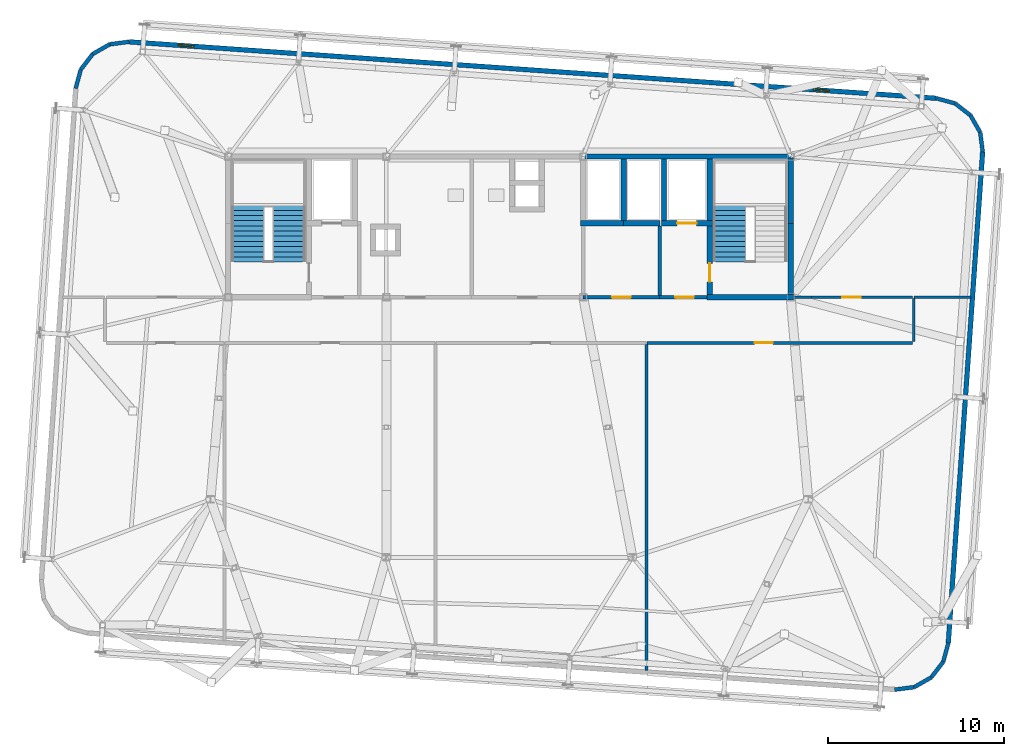
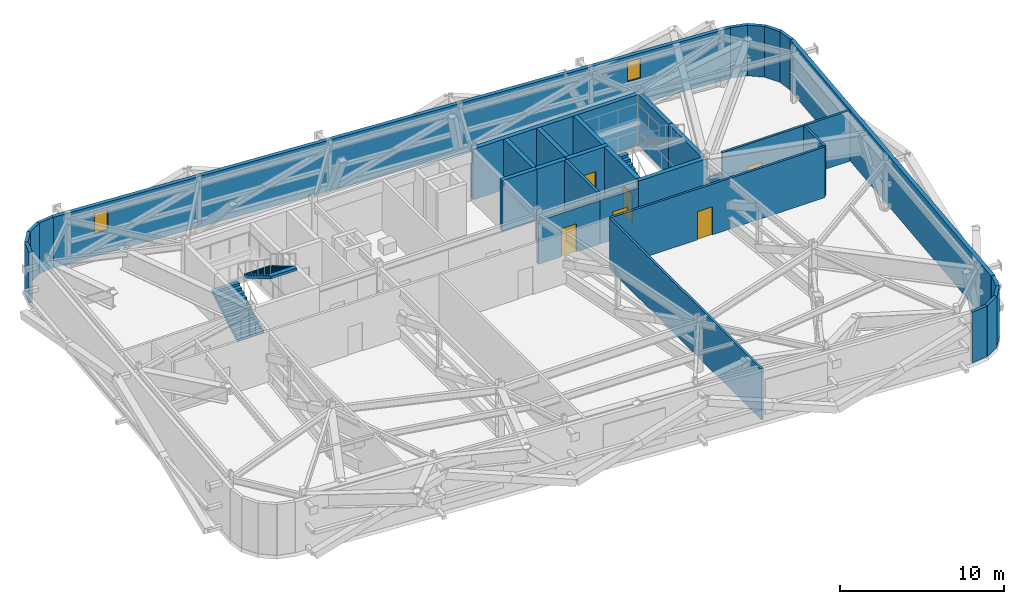
# One storey, part 22 of 24: 34 walls, 6 doors, 3 stair flights, 2 windows, 8 openings, 2 elements without a shape of their own.
"""IFC4 building model written with IfcOpenShell, lengths in metres."""

from ifc_helpers import new_model, si_unit, direction, frame, frame_2d, origin, place, context, subcontext, project, spatial, polyline, rectangle, outline, extrude, source, transform, mapped, material, layer, layer_set, type_object, element, fill, aggregate, save


model = new_model("IFC4")

# Units and contexts
model_context = context("Model", 3, precision=1e-05, world=origin(), true_north=direction((0.0, 1.0)))
body_context = subcontext(model_context, "Body", "Model", "MODEL_VIEW")
ifc_project = project(units=[si_unit("LENGTHUNIT", "METRE"), si_unit("AREAUNIT", "SQUARE_METRE"), si_unit("VOLUMEUNIT", "CUBIC_METRE"), si_unit("PLANEANGLEUNIT", "RADIAN"), si_unit("MASSUNIT", "GRAM", prefix="KILO")], contexts=[model_context])

# Site, building, storey
site_placement = place(None, origin())
site = spatial("IfcSite", under=ifc_project, at=site_placement, CompositionType="ELEMENT")
building_placement = place(site_placement, origin())
building = spatial("IfcBuilding", under=site, at=building_placement, Name="Taldren Reach Tower", CompositionType="ELEMENT")
storey_placement = place(building_placement, frame((0.0, 0.0, 164.5)))
storey = spatial("IfcBuildingStorey", under=building, at=storey_placement, Name="L50", CompositionType="ELEMENT", Elevation=164.5)

# Walls
ifc_material_1 = material(Name="Pale Champagne Anodised Aluminium Cladding", Category="aluminium")
ifc_layer_1 = layer(ifc_material_1, 0.04, Name="Pale Champagne Anodised Aluminium Cladding", Category="aluminium")
ifc_material_2 = material(Name="Mineral Wool Acoustic Insulation", Category="insulation")
ifc_layer_2 = layer(ifc_material_2, 0.06, Name="Mineral Wool Acoustic Insulation", Category="insulation")
ifc_material_3 = material(Name="Steel Gr 350 (C350L0)", Category="steel")
ifc_layer_3 = layer(ifc_material_3, 0.12, Name="Steel Gr 350 (C350L0)", Category="steel")
ifc_layer_set_1 = layer_set([ifc_layer_1, ifc_layer_2, ifc_layer_3], Name="Pale Champagne Aluminium Cladding and Steel Gr 350 Stud Framing")
wall_type_1 = type_object("IfcWallType", Name="EW-CRN-220", PredefinedType="SOLIDWALL", material=ifc_layer_set_1)
shared_shape_1 = source(origin(), body_context, "Body", "SweptSolid", [
    extrude(rectangle(XDim=1.115966796875, YDim=0.219970703125, at=frame_2d((0.55810546875, 0.0))), origin(), (0.0, 0.0, 1.0), 3.780029296875),
])
for number, where, z_axis, x_axis, name in (
    (1, (58.02490234375, 1.8173828125, 0.0), (0.0, 0.0, 1.0), (0.868095010314, 0.496398079235, 0.0), "Rounded-corner pale-metal facade wall L50-SE2"),
    (2, (58.99365234375, 2.371337890625, 0.0), (0.0, 0.0, 1.0), (0.612318787668, 0.790610967714, 0.0), "Rounded-corner pale-metal facade wall L50-SE3"),
    (3, (59.677001953125, 3.253662109375, 0.0), (0.0, 0.0, 1.0), (0.262969307856, 0.964804199372, 0.0), "Rounded-corner pale-metal facade wall L50-SE4"),
    (4, (61.923583984375, 32.261962890625, 0.0), (0.0, 0.0, 1.0), (-0.126242535829, 0.991999406324, 0.0), "Rounded-corner pale-metal facade wall L50-NE1"),
    (5, (61.78271484375, 33.368896484375, 0.0), (0.0, 0.0, 1.0), (-0.496138938357, 0.868243142124, 0.0), "Rounded-corner pale-metal facade wall L50-NE2"),
    (6, (61.22900390625, 34.337890625, 0.0), (0.0, 0.0, 1.0), (-0.790716874741, 0.612182018684, 0.0), "Rounded-corner pale-metal facade wall L50-NE3"),
    (7, (60.3466796875, 35.02099609375, 0.0), (0.0, 0.0, 1.0), (-0.964804199372, 0.262969307856, 0.0), "Rounded-corner pale-metal facade wall L50-NE4"),
    (8, (13.382080078125, 38.5234375, 0.0), (0.0, 0.0, 1.0), (-0.991999406324, -0.126242535829, 0.0), "Rounded-corner pale-metal facade wall L50-NW1"),
    (9, (11.306396484375, 37.828857421875, 0.0), (0.0, 0.0, 1.0), (-0.612318787668, -0.790610967714, 0.0), "Rounded-corner pale-metal facade wall L50-NW3"),
    (10, (10.623046875, 36.946533203125, 0.0), (0.0, 0.0, 1.0), (-0.262969307856, -0.964804199372, 0.0), "Rounded-corner pale-metal facade wall L50-NW4"),
):
    element("IfcWall", number, at=place(storey_placement, frame(where, z_axis=z_axis, x_axis=x_axis)), inside=storey, type_object=wall_type_1, Name=name, PredefinedType="SOLIDWALL", context=body_context, shape_type="MappedRepresentation", body=[
        mapped(shared_shape_1, transform((0.0, 0.0, 0.0), scale=1.0)),
    ])
shared_shape_2 = source(origin(), body_context, "Body", "SweptSolid", [
    extrude(rectangle(XDim=1.11572265625, YDim=0.219970703125, at=frame_2d((0.557861328125, 0.0))), origin(), (0.0, 0.0, 1.0), 3.780029296875),
])
for number, where, z_axis, x_axis, name in (
    (11, (56.91796875, 1.6767578125, 0.0), (0.0, 0.0, 1.0), (0.99202678349, 0.126027222605, 0.0), "Rounded-corner pale-metal facade wall L50-SE1"),
    (12, (12.275146484375, 38.382568359375, 0.0), (0.0, 0.0, 1.0), (-0.868189279113, -0.496233186751, 0.0), "Rounded-corner pale-metal facade wall L50-NW2"),
):
    element("IfcWall", number, at=place(storey_placement, frame(where, z_axis=z_axis, x_axis=x_axis)), inside=storey, type_object=wall_type_1, Name=name, PredefinedType="SOLIDWALL", context=body_context, shape_type="MappedRepresentation", body=[
        mapped(shared_shape_2, transform((0.0, 0.0, 0.0), scale=1.0)),
    ])

# Wall, openings, windows
ifc_material_4 = material(Name="Perforated Anodised Aluminium Acoustic Liner", Category="aluminium")
ifc_layer_4 = layer(ifc_material_4, 0.04, Name="Perforated Anodised Aluminium Acoustic Liner", Category="aluminium")
ifc_layer_5 = layer(ifc_material_2, 0.08, Name="Mineral Wool Acoustic Insulation", Category="insulation")
ifc_layer_6 = layer(ifc_material_3, 0.15, Name="Steel Gr 350 (C350L0)", Category="steel")
ifc_layer_set_2 = layer_set([ifc_layer_4, ifc_layer_5, ifc_layer_6], Name="Perforated Anodised Aluminium Liner and Steel Gr 350 Stud Framing")
wall_type_2 = type_object("IfcWallType", Name="EW-PLT-270", PredefinedType="SOLIDWALL", material=ifc_layer_set_2)
shared_shape_3 = source(origin(), body_context, "Body", "SweptSolid", [
    extrude(rectangle(XDim=46.0, YDim=0.27001953125, at=frame_2d((23.0, 0.0))), origin(), (0.0, 0.0, 1.0), 3.780029296875),
])
wall_1_placement = place(storey_placement, frame((59.27001953125, 35.314453125, 0.0), z_axis=(0.0, 0.0, 1.0), x_axis=(-0.997563767273, 0.069760520529, 0.0)))
wall_1 = element("IfcWall", 13, at=wall_1_placement, inside=storey, type_object=wall_type_2, Name="Plant floor perimeter enclosure wall L50-N", PredefinedType="SOLIDWALL", context=body_context, shape_type="MappedRepresentation", body=[
    mapped(shared_shape_3, transform((0.0, 0.0, 0.0), scale=1.0)),
])
shared_shape_4 = source(origin(), body_context, "Body", "SweptSolid", [
    extrude(rectangle(XDim=0.89990234375, YDim=1.5, at=frame_2d((0.449951171875, 0.75))), frame((0.0, 0.14501953125, 0.0), z_axis=(0.0, -1.0, 0.0), x_axis=(1.0, 0.0, 0.0)), (0.0, 0.0, 1.0), 0.2900390625),
])
opening_1_placement = place(wall_1_placement, frame((6.10009765625, 0.0, 1.89990234375)))
opening_1 = element("IfcOpeningElement", 14, at=opening_1_placement, cuts=wall_1, Name="Opening W-0915", PredefinedType="OPENING", context=body_context, shape_type="MappedRepresentation", body=[
    mapped(shared_shape_4, transform((0.0, 0.0, 0.0), scale=1.0)),
])
opening_2_placement = place(wall_1_placement, frame((42.300048828125, 0.0, 1.699951171875)))
opening_2 = element("IfcOpeningElement", 15, at=opening_2_placement, cuts=wall_1, Name="Opening W-0915", PredefinedType="OPENING", context=body_context, shape_type="MappedRepresentation", body=[
    mapped(shared_shape_4, transform((0.0, 0.0, 0.0), scale=1.0)),
])
ifc_material_5 = material(Name="Thermally Broken Aluminium and Low-E IGU", Category="aluminium")
window_type = type_object("IfcWindowType", Name="WN-REF-0900", PartitioningType="SINGLE_PANEL", PredefinedType="WINDOW", material=ifc_material_5)
shared_shape_5 = source(origin(), body_context, "Body", "SweptSolid", [
    extrude(rectangle(XDim=0.89990234375, YDim=1.5, at=frame_2d((0.449951171875, 0.75))), frame((0.0, 0.030029296875, 0.0), z_axis=(0.0, -1.0, 0.0), x_axis=(1.0, 0.0, 0.0)), (0.0, 0.0, 1.0), 0.06005859375),
])
window_1_placement = place(opening_1_placement, origin())
window_1 = element("IfcWindow", 16, at=window_1_placement, inside=storey, type_object=window_type, Name="Refuge area daylight window L50-1", OverallHeight=1.5, OverallWidth=0.89990234375, PartitioningType="SINGLE_PANEL", PredefinedType="WINDOW", context=body_context, shape_type="MappedRepresentation", body=[
    mapped(shared_shape_5, transform((0.0, 0.0, 0.0), scale=1.0)),
])
fill(opening_1, window_1)
window_2_placement = place(opening_2_placement, origin())
window_2 = element("IfcWindow", 17, at=window_2_placement, inside=storey, type_object=window_type, Name="Refuge area daylight window L50-2", OverallHeight=1.5, OverallWidth=0.89990234375, PartitioningType="SINGLE_PANEL", PredefinedType="WINDOW", context=body_context, shape_type="MappedRepresentation", body=[
    mapped(shared_shape_5, transform((0.0, 0.0, 0.0), scale=1.0)),
])
fill(opening_2, window_2)

# Wall
shared_shape_6 = source(origin(), body_context, "Body", "SweptSolid", [
    extrude(rectangle(XDim=27.999755859375, YDim=0.27001953125, at=frame_2d((14.0, 0.0))), origin(), (0.0, 0.0, 1.0), 3.780029296875),
])
wall_2_placement = place(storey_placement, frame((59.970458984375, 4.330322265625, 0.0), z_axis=(0.0, 0.0, 1.0), x_axis=(0.069754853754, 0.997564163539, 0.0)))
element("IfcWall", 18, at=wall_2_placement, inside=storey, type_object=wall_type_2, Name="Plant floor perimeter enclosure wall L50-E", PredefinedType="SOLIDWALL", context=body_context, shape_type="MappedRepresentation", body=[
    mapped(shared_shape_6, transform((0.0, 0.0, 0.0), scale=1.0)),
])

# Wall, opening, door
ifc_material_6 = material(Name="Concrete S50 (50 MPa)", Category="concrete")
ifc_layer_7 = layer(ifc_material_6, 0.199951171875)
ifc_layer_set_3 = layer_set([ifc_layer_7], Name="Concrete S50 (50 MPa)")
wall_type_3 = type_object("IfcWallType", Name="IW-CORE-200", PredefinedType="SOLIDWALL", material=ifc_layer_set_3)
shared_shape_7 = source(origin(), body_context, "Body", "SweptSolid", [
    extrude(rectangle(XDim=4.35009765625, YDim=0.199951171875, at=frame_2d((2.175048828125, 0.0))), origin(), (0.0, 0.0, 1.0), 3.2470703125),
])
wall_3_placement = place(storey_placement, frame((43.550048828125, 24.0, 0.0), z_axis=(0.0, 0.0, 1.0), x_axis=(-1.0, 0.0, 0.0)))
wall_3 = element("IfcWall", 19, at=wall_3_placement, inside=storey, type_object=wall_type_3, Name="Rear Core Shear Wall W-INT-L50-033", PredefinedType="SOLIDWALL", context=body_context, shape_type="MappedRepresentation", body=[
    mapped(shared_shape_7, transform((0.0, 0.0, 0.0), scale=1.0)),
])
shared_shape_8 = source(origin(), body_context, "Body", "SweptSolid", [
    extrude(rectangle(XDim=1.050048828125, YDim=2.10009765625, at=frame_2d((0.52490234375, 1.050048828125))), frame((0.0, 0.10986328125, 0.0), z_axis=(0.0, -1.0, 0.0), x_axis=(1.0, 0.0, 0.0)), (0.0, 0.0, 1.0), 0.219970703125),
])
opening_3_placement = place(wall_3_placement, frame((1.64990234375, 0.0, 0.0)))
opening_3 = element("IfcOpeningElement", 20, at=opening_3_placement, cuts=wall_3, Name="Opening DF-105", PredefinedType="OPENING", context=body_context, shape_type="MappedRepresentation", body=[
    mapped(shared_shape_8, transform((0.0, 0.0, 0.0), scale=1.0)),
])
ifc_material_7 = material(Name="Fire-Rated Care and Stair Exit Door")
door_type_1 = type_object("IfcDoorType", Name="ID-FIRE-105", OperationType="NOTDEFINED", PredefinedType="DOOR", material=ifc_material_7)
shared_shape_9 = source(origin(), body_context, "Body", "SweptSolid", [
    extrude(rectangle(XDim=1.050048828125, YDim=2.10009765625, at=frame_2d((0.52490234375, 1.050048828125))), frame((0.0, 0.02490234375, 0.0), z_axis=(0.0, -1.0, 0.0), x_axis=(1.0, 0.0, 0.0)), (0.0, 0.0, 1.0), 0.050048828125),
])
door_1_placement = place(opening_3_placement, frame((1.050048828125, 0.0, 0.0), z_axis=(0.0, 0.0, 1.0), x_axis=(-1.0, 0.0, 0.0)))
door_1 = element("IfcDoor", 21, at=door_1_placement, inside=storey, type_object=door_type_1, Name="Interior Door DR-L50-007", OperationType="SINGLE_SWING_LEFT", OverallHeight=2.10009765625, OverallWidth=1.050048828125, PredefinedType="DOOR", context=body_context, shape_type="MappedRepresentation", body=[
    mapped(shared_shape_9, transform((0.0, 0.0, 0.0), scale=1.0)),
])
fill(opening_3, door_1)

# Walls
ifc_material_8 = material(Name="Fire-Rated Acoustic Plasterboard Stud Wall", Category="gypsum")
ifc_layer_8 = layer(ifc_material_8, 0.159912109375)
ifc_layer_set_4 = layer_set([ifc_layer_8], Name="Fire-Rated Acoustic Plasterboard Stud Wall")
wall_type_4 = type_object("IfcWallType", Name="IW-FIRE-160", PredefinedType="PARTITIONING", material=ifc_layer_set_4)
shared_shape_10 = source(origin(), body_context, "Body", "SweptSolid", [
    extrude(rectangle(XDim=2.43994140625, YDim=0.159912109375, at=frame_2d((1.219970703125, 0.0))), origin(), (0.0, 0.0, 1.0), 3.780029296875),
])
wall_4_placement = place(storey_placement, frame((58.0, 23.919921875, 0.0), z_axis=(0.0, 0.0, 1.0), x_axis=(0.0, -1.0, 0.0)))
element("IfcWall", 22, at=wall_4_placement, inside=storey, type_object=wall_type_4, Name="Interior Partition Wall W-INT-L50-041", PredefinedType="PARTITIONING", context=body_context, shape_type="MappedRepresentation", body=[
    mapped(shared_shape_10, transform((0.0, 0.0, 0.0), scale=1.0)),
])
ifc_material_9 = material(Name="Concrete S65 (65 MPa)", Category="concrete")
ifc_layer_9 = layer(ifc_material_9, 0.300048828125)
ifc_layer_set_5 = layer_set([ifc_layer_9], Name="Concrete S65 (65 MPa)")
wall_type_5 = type_object("IfcWallType", Name="IW-CORE-300", PredefinedType="SHEAR", material=ifc_layer_set_5)
shared_shape_11 = source(origin(), body_context, "Body", "SweptSolid", [
    extrude(rectangle(XDim=11.949951171875, YDim=0.300048828125, at=frame_2d((5.97509765625, 0.0))), origin(), (0.0, 0.0, 1.0), 3.780029296875),
])
wall_5_placement = place(storey_placement, frame((39.199951171875, 32.0, 0.0), z_axis=(0.0, 0.0, 1.0), x_axis=(1.0, 0.0, 0.0)))
element("IfcWall", 23, at=wall_5_placement, inside=storey, type_object=wall_type_5, Name="Rear Core Shear Wall W-CORE-L50-NORTH3", PredefinedType="SHEAR", context=body_context, shape_type="MappedRepresentation", body=[
    mapped(shared_shape_11, transform((0.0, 0.0, 0.0), scale=1.0)),
])
shared_shape_12 = source(origin(), body_context, "Body", "SweptSolid", [
    extrude(rectangle(XDim=4.050048828125, YDim=0.300048828125, at=frame_2d((2.02490234375, 0.0))), origin(), (0.0, 0.0, 1.0), 3.780029296875),
])
wall_6_placement = place(storey_placement, frame((51.0, 24.14990234375, 0.0), z_axis=(0.0, 0.0, 1.0), x_axis=(0.0, 1.0, 0.0)))
element("IfcWall", 24, at=wall_6_placement, inside=storey, type_object=wall_type_5, Name="Rear Core Shear Wall W-CORE-L50-EAST1", PredefinedType="SHEAR", context=body_context, shape_type="MappedRepresentation", body=[
    mapped(shared_shape_12, transform((0.0, 0.0, 0.0), scale=1.0)),
])
shared_shape_13 = source(origin(), body_context, "Body", "SweptSolid", [
    extrude(rectangle(XDim=3.650146484375, YDim=0.300048828125, at=frame_2d((1.8251953125, 0.0))), origin(), (0.0, 0.0, 1.0), 3.780029296875),
])
wall_7_placement = place(storey_placement, frame((51.0, 28.199951171875, 0.0), z_axis=(0.0, 0.0, 1.0), x_axis=(0.0, 1.0, 0.0)))
element("IfcWall", 25, at=wall_7_placement, inside=storey, type_object=wall_type_5, Name="Rear Core Shear Wall W-CORE-L50-EAST2", PredefinedType="SHEAR", context=body_context, shape_type="MappedRepresentation", body=[
    mapped(shared_shape_13, transform((0.0, 0.0, 0.0), scale=1.0)),
])
shared_shape_14 = source(origin(), body_context, "Body", "SweptSolid", [
    extrude(rectangle(XDim=3.5, YDim=0.300048828125, at=frame_2d((1.75, 0.0))), origin(), (0.0, 0.0, 1.0), 3.780029296875),
])
for number, where, z_axis, x_axis, name in (
    (26, (46.39990234375, 31.85009765625, 0.0), (0.0, 0.0, 1.0), (0.0, -1.0, 0.0), "Rear Core Shear Wall W-INT-L50-008"),
    (27, (43.800048828125, 31.85009765625, 0.0), (0.0, 0.0, 1.0), (0.0, -1.0, 0.0), "Rear Core Shear Wall W-INT-L50-012"),
    (28, (41.5, 28.35009765625, 0.0), (0.0, 0.0, 1.0), (0.0, 1.0, 0.0), "Rear Core Shear Wall W-INT-L50-030"),
):
    element("IfcWall", number, at=place(storey_placement, frame(where, z_axis=z_axis, x_axis=x_axis)), inside=storey, type_object=wall_type_5, Name=name, PredefinedType="SHEAR", context=body_context, shape_type="MappedRepresentation", body=[
        mapped(shared_shape_14, transform((0.0, 0.0, 0.0), scale=1.0)),
    ])

# Wall, opening, door
shared_shape_15 = source(origin(), body_context, "Body", "SweptSolid", [
    extrude(rectangle(XDim=3.900146484375, YDim=0.300048828125, at=frame_2d((1.9501953125, 0.0))), origin(), (0.0, 0.0, 1.0), 3.780029296875),
])
wall_8_placement = place(storey_placement, frame((46.39990234375, 28.050048828125, 0.0), z_axis=(0.0, 0.0, 1.0), x_axis=(0.0, -1.0, 0.0)))
wall_8 = element("IfcWall", 29, at=wall_8_placement, inside=storey, type_object=wall_type_5, Name="Rear Core Shear Wall W-INT-L50-009", PredefinedType="SHEAR", context=body_context, shape_type="MappedRepresentation", body=[
    mapped(shared_shape_15, transform((0.0, 0.0, 0.0), scale=1.0)),
])
shared_shape_16 = source(origin(), body_context, "Body", "SweptSolid", [
    extrude(rectangle(XDim=1.050048828125, YDim=2.10009765625, at=frame_2d((0.52490234375, 1.050048828125))), frame((0.0, 0.16015625, 0.0), z_axis=(0.0, -1.0, 0.0), x_axis=(1.0, 0.0, 0.0)), (0.0, 0.0, 1.0), 0.320068359375),
])
opening_4_placement = place(wall_8_placement, frame((2.125, 0.0, 0.0)))
opening_4 = element("IfcOpeningElement", 30, at=opening_4_placement, cuts=wall_8, Name="Opening DF-105", PredefinedType="OPENING", context=body_context, shape_type="MappedRepresentation", body=[
    mapped(shared_shape_16, transform((0.0, 0.0, 0.0), scale=1.0)),
])
door_2_placement = place(opening_4_placement, origin())
door_2 = element("IfcDoor", 31, at=door_2_placement, inside=storey, type_object=door_type_1, Name="Fire Exit Stair Door DR-L50-003", OperationType="SINGLE_SWING_RIGHT", OverallHeight=2.10009765625, OverallWidth=1.050048828125, PredefinedType="DOOR", context=body_context, shape_type="MappedRepresentation", body=[
    mapped(shared_shape_9, transform((0.0, 0.0, 0.0), scale=1.0)),
])
fill(opening_4, door_2)

# Wall
shared_shape_17 = source(origin(), body_context, "Body", "SweptSolid", [
    extrude(rectangle(XDim=4.89990234375, YDim=0.300048828125, at=frame_2d((2.449951171875, 0.0))), origin(), (0.0, 0.0, 1.0), 3.780029296875),
])
wall_9_placement = place(storey_placement, frame((46.25, 24.0, 0.0), z_axis=(0.0, 0.0, 1.0), x_axis=(1.0, 0.0, 0.0)))
element("IfcWall", 32, at=wall_9_placement, inside=storey, type_object=wall_type_5, Name="Rear Core Shear Wall W-INT-L50-010", PredefinedType="SHEAR", context=body_context, shape_type="MappedRepresentation", body=[
    mapped(shared_shape_17, transform((0.0, 0.0, 0.0), scale=1.0)),
])

# Wall, opening, door
shared_shape_18 = source(origin(), body_context, "Body", "SweptSolid", [
    extrude(rectangle(XDim=2.900146484375, YDim=0.300048828125, at=frame_2d((1.4501953125, 0.0))), origin(), (0.0, 0.0, 1.0), 3.780029296875),
])
wall_10_placement = place(storey_placement, frame((43.64990234375, 28.199951171875, 0.0), z_axis=(0.0, 0.0, 1.0), x_axis=(1.0, 0.0, 0.0)))
wall_10 = element("IfcWall", 33, at=wall_10_placement, inside=storey, type_object=wall_type_5, Name="Rear Core Shear Wall W-INT-L50-011", PredefinedType="SHEAR", context=body_context, shape_type="MappedRepresentation", body=[
    mapped(shared_shape_18, transform((0.0, 0.0, 0.0), scale=1.0)),
])
shared_shape_19 = source(origin(), body_context, "Body", "SweptSolid", [
    extrude(rectangle(XDim=1.10009765625, YDim=2.14990234375, at=frame_2d((0.550048828125, 1.074951171875))), frame((0.0, 0.16015625, 0.0), z_axis=(0.0, -1.0, 0.0), x_axis=(1.0, 0.0, 0.0)), (0.0, 0.0, 1.0), 0.320068359375),
])
opening_5_placement = place(wall_10_placement, frame((0.89990234375, 0.0, 0.0)))
opening_5 = element("IfcOpeningElement", 34, at=opening_5_placement, cuts=wall_10, Name="Opening LD-FL2", PredefinedType="OPENING", context=body_context, shape_type="MappedRepresentation", body=[
    mapped(shared_shape_19, transform((0.0, 0.0, 0.0), scale=1.0)),
])
ifc_material_10 = material(Name="Stainless Steel Gr 316 Emergency Lift Landing Door", Category="steel")
door_type_2 = type_object("IfcDoorType", Name="LD-EMG-110", OperationType="SLIDING_TO_LEFT", PredefinedType="DOOR", material=ifc_material_10)
shared_shape_20 = source(origin(), body_context, "Body", "SweptSolid", [
    extrude(rectangle(XDim=1.10009765625, YDim=2.14990234375, at=frame_2d((0.550048828125, 1.074951171875))), frame((0.0, 0.02490234375, 0.0), z_axis=(0.0, -1.0, 0.0), x_axis=(1.0, 0.0, 0.0)), (0.0, 0.0, 1.0), 0.050048828125),
])
door_3_placement = place(opening_5_placement, origin())
door_3 = element("IfcDoor", 35, at=door_3_placement, inside=storey, type_object=door_type_2, Name="Lift Landing Door LD-FL2-L50", OperationType="SLIDING_TO_LEFT", OverallHeight=2.14990234375, OverallWidth=1.10009765625, PredefinedType="DOOR", context=body_context, shape_type="MappedRepresentation", body=[
    mapped(shared_shape_20, transform((0.0, 0.0, 0.0), scale=1.0)),
])
fill(opening_5, door_3)

# Wall
shared_shape_21 = source(origin(), body_context, "Body", "SweptSolid", [
    extrude(rectangle(XDim=3.949951171875, YDim=0.199951171875, at=frame_2d((1.97509765625, 0.0))), origin(), (0.0, 0.0, 1.0), 3.780029296875),
])
wall_11_placement = place(storey_placement, frame((43.550048828125, 28.050048828125, 0.0), z_axis=(0.0, 0.0, 1.0), x_axis=(0.0, -1.0, 0.0)))
element("IfcWall", 36, at=wall_11_placement, inside=storey, type_object=wall_type_3, Name="Rear Core Shear Wall W-INT-L50-013", PredefinedType="SOLIDWALL", context=body_context, shape_type="MappedRepresentation", body=[
    mapped(shared_shape_21, transform((0.0, 0.0, 0.0), scale=1.0)),
])

# Wall, opening, door
shared_shape_22 = source(origin(), body_context, "Body", "SweptSolid", [
    extrude(rectangle(XDim=2.699951171875, YDim=0.199951171875, at=frame_2d((1.35009765625, 0.0))), origin(), (0.0, 0.0, 1.0), 3.2470703125),
])
wall_12_placement = place(storey_placement, frame((43.550048828125, 24.0, 0.0), z_axis=(0.0, 0.0, 1.0), x_axis=(1.0, 0.0, 0.0)))
wall_12 = element("IfcWall", 37, at=wall_12_placement, inside=storey, type_object=wall_type_3, Name="Rear Core Shear Wall W-INT-L50-014", PredefinedType="SOLIDWALL", context=body_context, shape_type="MappedRepresentation", body=[
    mapped(shared_shape_22, transform((0.0, 0.0, 0.0), scale=1.0)),
])
opening_6_placement = place(wall_12_placement, frame((0.89990234375, 0.0, 0.0)))
opening_6 = element("IfcOpeningElement", 38, at=opening_6_placement, cuts=wall_12, Name="Opening DF-105", PredefinedType="OPENING", context=body_context, shape_type="MappedRepresentation", body=[
    mapped(shared_shape_8, transform((0.0, 0.0, 0.0), scale=1.0)),
])
door_4_placement = place(opening_6_placement, origin())
door_4 = element("IfcDoor", 39, at=door_4_placement, inside=storey, type_object=door_type_1, Name="Interior Door DR-L50-004", OperationType="SINGLE_SWING_LEFT", OverallHeight=2.10009765625, OverallWidth=1.050048828125, PredefinedType="DOOR", context=body_context, shape_type="MappedRepresentation", body=[
    mapped(shared_shape_9, transform((0.0, 0.0, 0.0), scale=1.0)),
])
fill(opening_6, door_4)

# Walls
shared_shape_23 = source(origin(), body_context, "Body", "SweptSolid", [
    extrude(rectangle(XDim=2.449951171875, YDim=0.300048828125, at=frame_2d((1.22509765625, 0.0))), origin(), (0.0, 0.0, 1.0), 3.780029296875),
])
wall_13_placement = place(storey_placement, frame((39.050048828125, 28.199951171875, 0.0), z_axis=(0.0, 0.0, 1.0), x_axis=(1.0, 0.0, 0.0)))
element("IfcWall", 40, at=wall_13_placement, inside=storey, type_object=wall_type_5, Name="Rear Core Shear Wall W-INT-L50-031", PredefinedType="SHEAR", context=body_context, shape_type="MappedRepresentation", body=[
    mapped(shared_shape_23, transform((0.0, 0.0, 0.0), scale=1.0)),
])
shared_shape_24 = source(origin(), body_context, "Body", "SweptSolid", [
    extrude(rectangle(XDim=2.070068359375, YDim=0.300048828125, at=frame_2d((1.03515625, 0.0))), origin(), (0.0, 0.0, 1.0), 3.780029296875),
])
wall_14_placement = place(storey_placement, frame((41.5, 28.199951171875, 0.0), z_axis=(0.0, 0.0, 1.0), x_axis=(1.0, 0.0, 0.0)))
element("IfcWall", 41, at=wall_14_placement, inside=storey, type_object=wall_type_5, Name="Rear Core Shear Wall W-INT-L50-032", PredefinedType="SHEAR", context=body_context, shape_type="MappedRepresentation", body=[
    mapped(shared_shape_24, transform((0.0, 0.0, 0.0), scale=1.0)),
])
shared_shape_25 = source(origin(), body_context, "Body", "SweptSolid", [
    extrude(rectangle(XDim=1.040771484375, YDim=0.159912109375, at=frame_2d((0.5205078125, 0.0))), origin(), (0.0, 0.0, 1.0), 2.280029296875),
])
wall_15_placement = place(storey_placement, frame((51.14990234375, 24.0, 0.0), z_axis=(0.0, 0.0, 1.0), x_axis=(1.0, 0.0, 0.0)))
element("IfcWall", 42, at=wall_15_placement, inside=storey, type_object=wall_type_4, Name="Interior Partition Wall W-INT-L50-035", PredefinedType="PARTITIONING", context=body_context, shape_type="MappedRepresentation", body=[
    mapped(shared_shape_25, transform((0.0, 0.0, 0.0), scale=1.0)),
])

# Wall, opening, door
shared_shape_26 = source(origin(), body_context, "Body", "SweptSolid", [
    extrude(rectangle(XDim=5.729248046875, YDim=0.159912109375, at=frame_2d((2.86474609375, 0.0))), origin(), (0.0, 0.0, 1.0), 3.780029296875),
])
wall_16_placement = place(storey_placement, frame((52.190673828125, 24.0, 0.0), z_axis=(0.0, 0.0, 1.0), x_axis=(1.0, 0.0, 0.0)))
wall_16 = element("IfcWall", 43, at=wall_16_placement, inside=storey, type_object=wall_type_4, Name="Interior Partition Wall W-INT-L50-035 part 2", PredefinedType="PARTITIONING", context=body_context, shape_type="MappedRepresentation", body=[
    mapped(shared_shape_26, transform((0.0, 0.0, 0.0), scale=1.0)),
])
shared_shape_27 = source(origin(), body_context, "Body", "SweptSolid", [
    extrude(rectangle(XDim=1.050048828125, YDim=2.10009765625, at=frame_2d((0.52490234375, 1.050048828125))), frame((0.0, 0.08984375, 0.0), z_axis=(0.0, -1.0, 0.0), x_axis=(1.0, 0.0, 0.0)), (0.0, 0.0, 1.0), 0.179931640625),
])
opening_7_placement = place(wall_16_placement, frame((1.75439453125, 0.0, 0.0)))
opening_7 = element("IfcOpeningElement", 44, at=opening_7_placement, cuts=wall_16, Name="Opening DF-105", PredefinedType="OPENING", context=body_context, shape_type="MappedRepresentation", body=[
    mapped(shared_shape_27, transform((0.0, 0.0, 0.0), scale=1.0)),
])
door_5_placement = place(opening_7_placement, origin())
door_5 = element("IfcDoor", 45, at=door_5_placement, inside=storey, type_object=door_type_1, Name="Interior Door DR-L50-009", OperationType="SINGLE_SWING_RIGHT", OverallHeight=2.10009765625, OverallWidth=1.050048828125, PredefinedType="DOOR", context=body_context, shape_type="MappedRepresentation", body=[
    mapped(shared_shape_9, transform((0.0, 0.0, 0.0), scale=1.0)),
])
fill(opening_7, door_5)

shared_shape_28 = source(origin(), body_context, "Body", "SweptSolid", [
    extrude(rectangle(XDim=15.099609375, YDim=0.159912109375, at=frame_2d((7.5498046875, 0.0))), origin(), (0.0, 0.0, 1.0), 3.780029296875),
])
wall_17_placement = place(storey_placement, frame((57.919921875, 21.39990234375, 0.0), z_axis=(0.0, 0.0, 1.0), x_axis=(-1.0, 0.0, 0.0)))
wall_17 = element("IfcWall", 46, at=wall_17_placement, inside=storey, type_object=wall_type_4, Name="Interior Partition Wall W-INT-L50-040", PredefinedType="PARTITIONING", context=body_context, shape_type="MappedRepresentation", body=[
    mapped(shared_shape_28, transform((0.0, 0.0, 0.0), scale=1.0)),
])
opening_8_placement = place(wall_17_placement, frame((7.9248046875, 0.0, 0.0)))
opening_8 = element("IfcOpeningElement", 47, at=opening_8_placement, cuts=wall_17, Name="Opening DF-105", PredefinedType="OPENING", context=body_context, shape_type="MappedRepresentation", body=[
    mapped(shared_shape_27, transform((0.0, 0.0, 0.0), scale=1.0)),
])
door_6_placement = place(opening_8_placement, origin())
door_6 = element("IfcDoor", 48, at=door_6_placement, inside=storey, type_object=door_type_1, Name="Interior Door DR-L50-013", OperationType="SINGLE_SWING_RIGHT", OverallHeight=2.10009765625, OverallWidth=1.050048828125, PredefinedType="DOOR", context=body_context, shape_type="MappedRepresentation", body=[
    mapped(shared_shape_9, transform((0.0, 0.0, 0.0), scale=1.0)),
])
fill(opening_8, door_6)

# Walls
shared_shape_29 = source(origin(), body_context, "Body", "SweptSolid", [
    extrude(rectangle(XDim=3.240966796875, YDim=0.159912109375, at=frame_2d((1.62060546875, 0.0))), origin(), (0.0, 0.0, 1.0), 3.780029296875),
])
wall_18_placement = place(storey_placement, frame((61.26123046875, 24.0, 0.0), z_axis=(0.0, 0.0, 1.0), x_axis=(-1.0, 0.0, 0.0)))
element("IfcWall", 49, at=wall_18_placement, inside=storey, type_object=wall_type_4, Name="Interior Partition Wall W-INT-L50-043", PredefinedType="PARTITIONING", context=body_context, shape_type="MappedRepresentation", body=[
    mapped(shared_shape_29, transform((0.0, 0.0, 0.0), scale=1.0)),
])
shared_shape_30 = source(origin(), body_context, "Body", "SweptSolid", [
    extrude(rectangle(XDim=18.560302734375, YDim=0.159912109375, at=frame_2d((9.2802734375, 0.0))), origin(), (0.0, 0.0, 1.0), 3.780029296875),
])
wall_19_placement = place(storey_placement, frame((42.800048828125, 21.320068359375, 0.0), z_axis=(0.0, 0.0, 1.0), x_axis=(0.0, -1.0, 0.0)))
element("IfcWall", 50, at=wall_19_placement, inside=storey, type_object=wall_type_4, Name="Interior Partition Wall W-INT-L50-046", PredefinedType="PARTITIONING", context=body_context, shape_type="MappedRepresentation", body=[
    mapped(shared_shape_30, transform((0.0, 0.0, 0.0), scale=1.0)),
])

# Stair, stair flights
stair_type = type_object("IfcStairType", Name="ST-HT-420", PredefinedType="HALF_TURN_STAIR", material=ifc_material_6)
stair_1_placement = place(storey_placement, origin())
stair_1 = element("IfcStair", 51, at=stair_1_placement, inside=storey, type_object=stair_type, Name="Fire-isolated exit stair ST1 L50", PredefinedType="HALF_TURN_STAIR")
stair_flight_type = type_object("IfcStairFlightType", Name="SF-STR-420", PredefinedType="STRAIGHT", material=ifc_material_6)
stair_flight_1_placement = place(storey_placement, frame((20.139892578125, 25.989990234375, 0.0), z_axis=(0.0, 0.0, 1.0), x_axis=(0.0, 1.0, 0.0)))
stair_flight_1 = element("IfcStairFlight", 52, at=stair_flight_1_placement, type_object=stair_flight_type, Name="ST1 flight 1", NumberOfRisers=12, NumberOfTreads=11, PredefinedType="STRAIGHT", RiserHeight=0.175, TreadLength=0.295, context=body_context, shape_type="SweptSolid", body=[
    extrude(outline(polyline([(0.0, 0.0), (0.0, 0.175048828125), (0.294921875, 0.175048828125), (0.294921875, 0.35009765625), (0.590087890625, 0.35009765625), (0.590087890625, 0.52490234375), (0.885009765625, 0.52490234375), (0.885009765625, 0.699951171875), (1.179931640625, 0.699951171875), (1.179931640625, 0.875), (1.47509765625, 0.875), (1.47509765625, 1.050048828125), (1.77001953125, 1.050048828125), (1.77001953125, 1.22509765625), (2.06494140625, 1.22509765625), (2.06494140625, 1.39990234375), (2.360107421875, 1.39990234375), (2.360107421875, 1.574951171875), (2.655029296875, 1.574951171875), (2.655029296875, 1.75), (2.949951171875, 1.75), (2.949951171875, 1.925048828125), (3.2451171875, 1.925048828125), (3.2451171875, 2.10009765625), (3.2451171875, 1.739013671875), (0.3134765625, 0.0), (0.0, 0.0)])), frame((0.0, 0.919921875, 0.0), z_axis=(0.0, -1.0, 0.0), x_axis=(1.0, 0.0, 0.0)), (0.0, 0.0, 1.0), 1.840087890625),
])
stair_flight_2_placement = place(storey_placement, frame((22.4599609375, 29.235107421875, 2.10009765625), z_axis=(0.0, 0.0, 1.0), x_axis=(0.0, -1.0, 0.0)))
stair_flight_2 = element("IfcStairFlight", 53, at=stair_flight_2_placement, type_object=stair_flight_type, Name="ST1 flight 2", NumberOfRisers=12, NumberOfTreads=11, PredefinedType="STRAIGHT", RiserHeight=0.175, TreadLength=0.295, context=body_context, shape_type="SweptSolid", body=[
    extrude(outline(polyline([(0.0, 0.0), (0.0, 0.175048828125), (0.294921875, 0.175048828125), (0.294921875, 0.35009765625), (0.590087890625, 0.35009765625), (0.590087890625, 0.52490234375), (0.885009765625, 0.52490234375), (0.885009765625, 0.699951171875), (1.179931640625, 0.699951171875), (1.179931640625, 0.875), (1.47509765625, 0.875), (1.47509765625, 1.050048828125), (1.77001953125, 1.050048828125), (1.77001953125, 1.22509765625), (2.06494140625, 1.22509765625), (2.06494140625, 1.39990234375), (2.360107421875, 1.39990234375), (2.360107421875, 1.574951171875), (2.655029296875, 1.574951171875), (2.655029296875, 1.75), (2.949951171875, 1.75), (2.949951171875, 1.925048828125), (3.2451171875, 1.925048828125), (3.2451171875, 2.10009765625), (3.2451171875, 1.739013671875), (0.3134765625, 0.0), (0.0, 0.0)])), frame((0.0, 0.919921875, 0.0), z_axis=(0.0, -1.0, 0.0), x_axis=(1.0, 0.0, 0.0)), (0.0, 0.0, 1.0), 1.840087890625),
])
aggregate(stair_1, [stair_flight_1, stair_flight_2])

# Stair, stair flight
stair_2_placement = place(storey_placement, origin())
stair_2 = element("IfcStair", 54, at=stair_2_placement, inside=storey, type_object=stair_type, Name="Fire-isolated exit stair ST2 L50", PredefinedType="HALF_TURN_STAIR")
stair_flight_3_placement = place(storey_placement, frame((47.5400390625, 25.989990234375, 0.0), z_axis=(0.0, 0.0, 1.0), x_axis=(0.0, 1.0, 0.0)))
stair_flight_3 = element("IfcStairFlight", 55, at=stair_flight_3_placement, type_object=stair_flight_type, Name="ST2 flight 1", NumberOfRisers=12, NumberOfTreads=11, PredefinedType="STRAIGHT", RiserHeight=0.175, TreadLength=0.295, context=body_context, shape_type="SweptSolid", body=[
    extrude(outline(polyline([(0.0, 0.0), (0.0, 0.175048828125), (0.294921875, 0.175048828125), (0.294921875, 0.35009765625), (0.590087890625, 0.35009765625), (0.590087890625, 0.52490234375), (0.885009765625, 0.52490234375), (0.885009765625, 0.699951171875), (1.179931640625, 0.699951171875), (1.179931640625, 0.875), (1.47509765625, 0.875), (1.47509765625, 1.050048828125), (1.77001953125, 1.050048828125), (1.77001953125, 1.22509765625), (2.06494140625, 1.22509765625), (2.06494140625, 1.39990234375), (2.360107421875, 1.39990234375), (2.360107421875, 1.574951171875), (2.655029296875, 1.574951171875), (2.655029296875, 1.75), (2.949951171875, 1.75), (2.949951171875, 1.925048828125), (3.2451171875, 1.925048828125), (3.2451171875, 2.10009765625), (3.2451171875, 1.739013671875), (0.3134765625, 0.0), (0.0, 0.0)])), frame((0.0, 0.919921875, 0.0), z_axis=(0.0, -1.0, 0.0), x_axis=(1.0, 0.0, 0.0)), (0.0, 0.0, 1.0), 1.840087890625),
])
aggregate(stair_2, [stair_flight_3])

save(model, "model.ifc")
